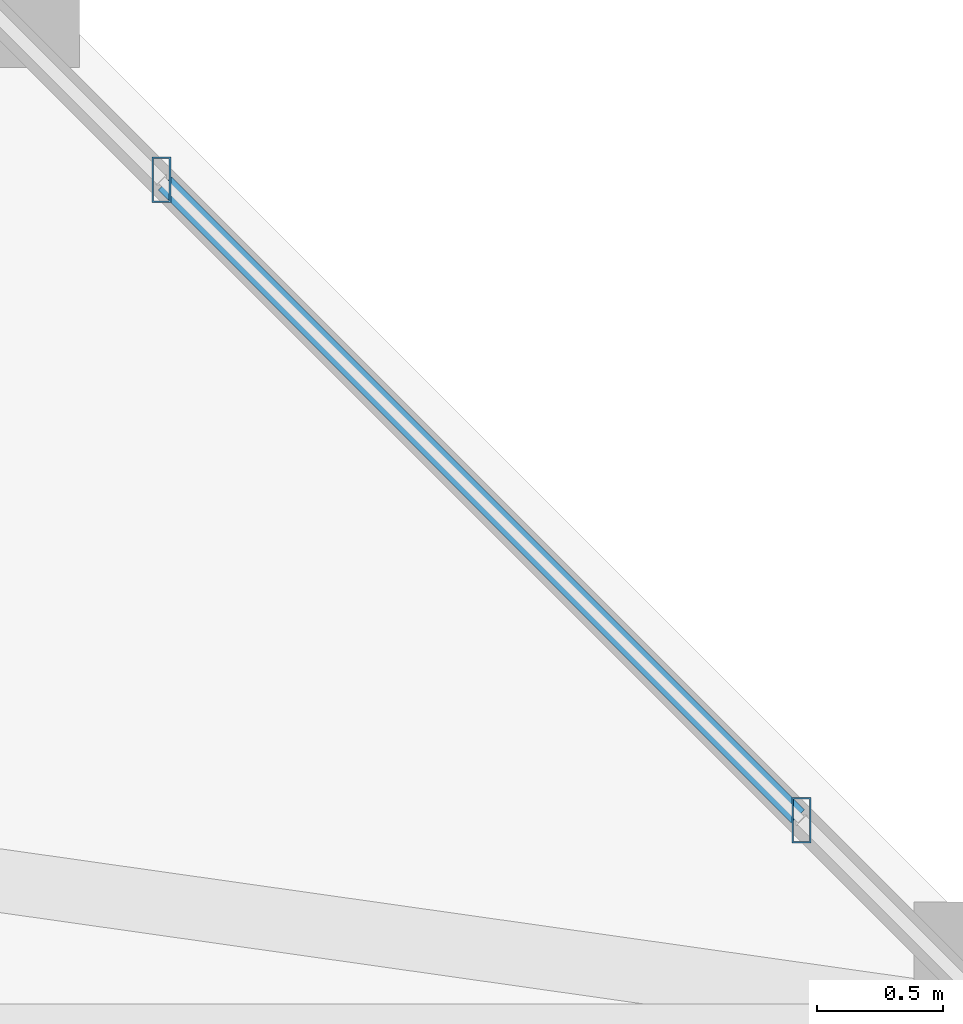
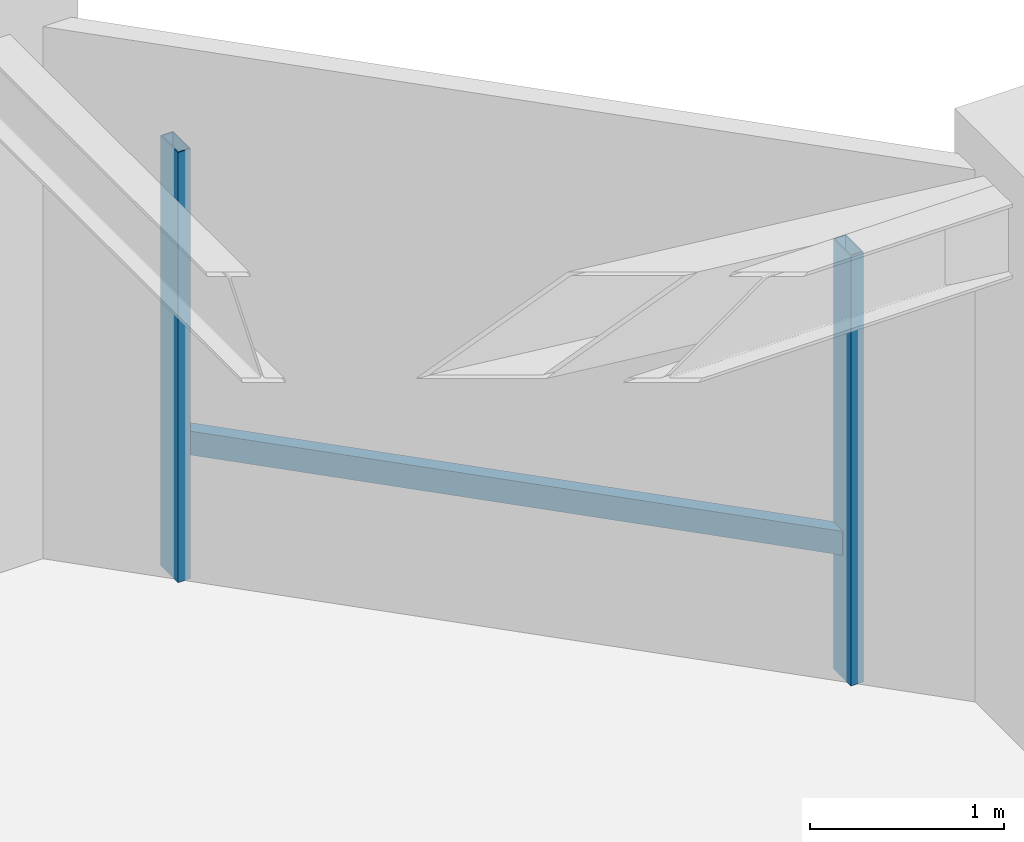
# One storey, part 9 of 32: 3 members, 1 element without a shape of its own.
"""IFC4 building model written with IfcOpenShell, lengths in metres."""

from ifc_helpers import new_model, si_unit, direction, frame, origin, origin_2d, place, context, subcontext, project, spatial, hollow_rectangle, extrude, material, material_profile, profile_set, type_object, element, aggregate, save


model = new_model("IFC4")

# Units and contexts
model_context = context("Model", 3, precision=1e-05, world=origin(), true_north=direction((0.0, 1.0)))
body_context = subcontext(model_context, "Body", "Model", "MODEL_VIEW")
ifc_project = project(units=[si_unit("LENGTHUNIT", "METRE"), si_unit("AREAUNIT", "SQUARE_METRE"), si_unit("VOLUMEUNIT", "CUBIC_METRE"), si_unit("PLANEANGLEUNIT", "RADIAN"), si_unit("MASSUNIT", "GRAM", prefix="KILO")], contexts=[model_context])

# Site, building, storey
site_placement = place(None, origin())
site = spatial("IfcSite", under=ifc_project, at=site_placement, CompositionType="ELEMENT")
building_placement = place(site_placement, origin())
building = spatial("IfcBuilding", under=site, at=building_placement, Name="Thornwick Lancets Civic Towers", CompositionType="ELEMENT")
storey_placement = place(building_placement, frame((0.0, 0.0, 240.300048828125)))
storey = spatial("IfcBuildingStorey", under=building, at=storey_placement, Name="L64", CompositionType="ELEMENT", Elevation=240.300048828125)

# Curtain wall, members
ifc_material_1 = material(Name="High-zone chamfered-corner unitised glass curtain wall", Category="glass")
curtain_wall_type = type_object("IfcCurtainWallType", Name="CW_SYS_05", PredefinedType="NOTDEFINED", material=ifc_material_1)
curtain_wall_placement = place(storey_placement, origin())
curtain_wall = element("IfcCurtainWall", 1, at=curtain_wall_placement, inside=storey, type_object=curtain_wall_type, Name="L64 Curtain Wall CW-L64-A-E3", PredefinedType="NOTDEFINED")
ifc_material_2 = material(Name="Thermally broken bronze aluminium S355", Category="steel")
ifc_material_profile_1 = material_profile(ifc_material_2, hollow_rectangle(XDim=0.074951171875, YDim=0.179931640625, WallThickness=0.006103515625, at=origin_2d()), Name="RHS 180x75x6")
ifc_profile_set_1 = profile_set([ifc_material_profile_1], Name="Thermally broken bronze aluminium S355")
member_type_1 = type_object("IfcMemberType", Name="CW_MUL_180", PredefinedType="MULLION", material=ifc_profile_set_1)
member_1_placement = place(storey_placement, frame((41.855712890625, 40.823486328125, 0.0), z_axis=(0.0, 0.0, 1.0), x_axis=(1.0, 0.0, 0.0)))
member_1 = element("IfcMember", 2, at=member_1_placement, type_object=member_type_1, Name="CW-L64-A-E3 Mullion 0", PredefinedType="MULLION", context=body_context, shape_type="SweptSolid", body=[
    extrude(hollow_rectangle(XDim=0.074951171875, YDim=0.179931640625, WallThickness=0.006103515625, at=origin_2d()), origin(), (0.0, 0.0, 1.0), 2.699951171875),
])
member_2_placement = place(storey_placement, frame((39.323486328125, 43.355712890625, 0.0), z_axis=(0.0, 0.0, 1.0), x_axis=(1.0, 0.0, 0.0)))
member_2 = element("IfcMember", 3, at=member_2_placement, type_object=member_type_1, Name="CW-L64-A-E3 Mullion 1", PredefinedType="MULLION", context=body_context, shape_type="SweptSolid", body=[
    extrude(hollow_rectangle(XDim=0.074951171875, YDim=0.179931640625, WallThickness=0.006103515625, at=origin_2d()), origin(), (0.0, 0.0, 1.0), 2.699951171875),
])
ifc_material_profile_2 = material_profile(ifc_material_2, hollow_rectangle(XDim=0.074951171875, YDim=0.14990234375, WallThickness=0.0048828125, at=origin_2d()), Name="RHS 150x75x5")
ifc_profile_set_2 = profile_set([ifc_material_profile_2], Name="Thermally broken bronze aluminium S355")
member_type_2 = type_object("IfcMemberType", Name="CW_TRN_150", PredefinedType="USERDEFINED", material=ifc_profile_set_2)
member_3_placement = place(storey_placement, frame((41.841552734375, 40.837646484375, 0.849853515625), z_axis=(-0.707106781187, 0.707106781187, 0.0), x_axis=(-0.707106781187, -0.707106781187, 0.0)))
member_3 = element("IfcMember", 4, at=member_3_placement, type_object=member_type_2, Name="CW-L64-A-E3 Transom 0", ObjectType="TRANSOM", PredefinedType="USERDEFINED", context=body_context, shape_type="SweptSolid", body=[
    extrude(hollow_rectangle(XDim=0.074951171875, YDim=0.14990234375, WallThickness=0.0048828125, at=origin_2d()), origin(), (0.0, 0.0, 1.0), 3.541015625),
])
aggregate(curtain_wall, [member_1, member_2, member_3])

save(model, "model.ifc")
